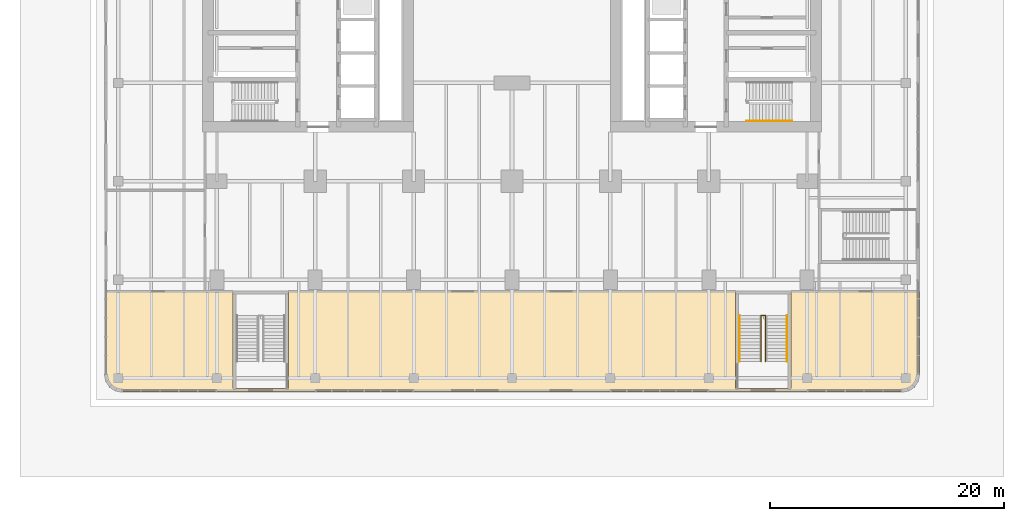
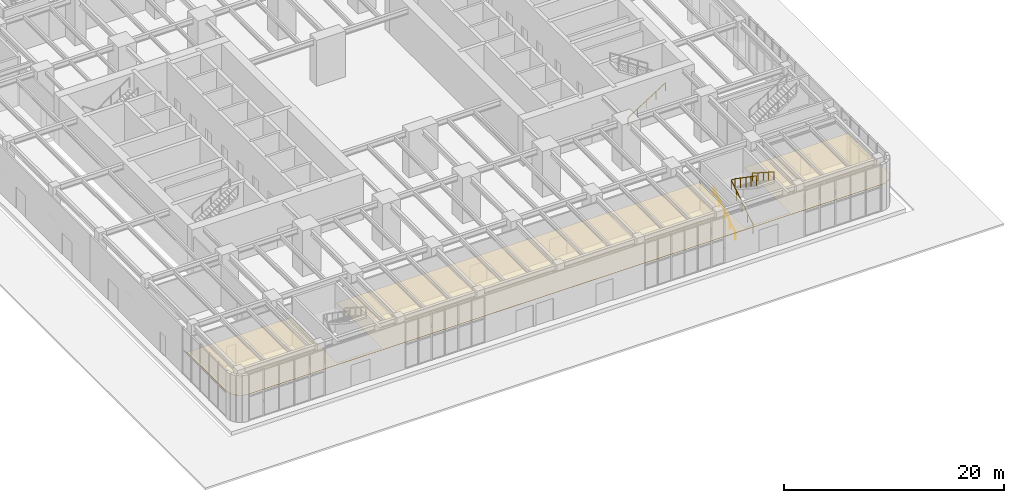
# One storey, part 25 of 31: 4 railings, 1 covering.
"""IFC4 building model written with IfcOpenShell, lengths in metres."""

from ifc_helpers import new_model, si_unit, direction, frame, origin, origin_2d, place, context, subcontext, project, spatial, polyline, circle, outline, extrude, material, layer, layer_set, type_object, element, save


model = new_model("IFC4")

# Units and contexts
model_context = context("Model", 3, precision=1e-05, world=origin(), true_north=direction((0.0, 1.0)))
body_context = subcontext(model_context, "Body", "Model", "MODEL_VIEW")
ifc_project = project(units=[si_unit("LENGTHUNIT", "METRE"), si_unit("AREAUNIT", "SQUARE_METRE"), si_unit("VOLUMEUNIT", "CUBIC_METRE"), si_unit("PLANEANGLEUNIT", "RADIAN"), si_unit("MASSUNIT", "GRAM", prefix="KILO")], contexts=[model_context])

# Site, building, storey
site_placement = place(None, origin())
site = spatial("IfcSite", under=ifc_project, at=site_placement, CompositionType="ELEMENT")
building_placement = place(site_placement, origin())
building = spatial("IfcBuilding", under=site, at=building_placement, Name="Claustro Exchange Tower", CompositionType="ELEMENT")
storey_placement = place(building_placement, origin())
storey = spatial("IfcBuildingStorey", under=building, at=storey_placement, Name="L00", CompositionType="ELEMENT", Elevation=0.0)

# Covering
ifc_material_1 = material(Name="Gypsum board ceiling", Category="gypsum board")
ifc_layer = layer(ifc_material_1, 0.02490234375)
ifc_layer_set = layer_set([ifc_layer], Name="Gypsum board ceiling")
covering_type = type_object("IfcCoveringType", Name="CL2 plasterboard ceiling", PredefinedType="CEILING", material=ifc_layer_set)
covering_placement = place(storey_placement, frame((0.0, 0.0, 3.0)))
element("IfcCovering", 1, at=covering_placement, inside=storey, type_object=covering_type, Name="Ceiling CL2 L00-01", PredefinedType="CEILING", context=body_context, shape_type="SweptSolid", body=[
    extrude(outline(polyline([(-9.16064453125, -9.16064453125), (-8.674072265625, -9.48583984375), (-8.10009765625, -9.60009765625), (58.5, -9.60009765625), (59.073974609375, -9.48583984375), (59.560791015625, -9.16064453125), (59.8857421875, -8.674072265625), (60.0, -8.10009765625), (60.0, -1.0), (49.0, -1.0), (49.0, -9.280029296875), (44.300048828125, -9.280029296875), (44.300048828125, -1.0), (6.10009765625, -1.0), (6.10009765625, -9.280029296875), (1.39990234375, -9.280029296875), (1.39990234375, -1.0), (-1.0, -1.0), (-9.60009765625, -1.0), (-9.60009765625, -8.10009765625), (-9.48583984375, -8.674072265625), (-9.16064453125, -9.16064453125)])), origin(), (0.0, 0.0, 1.0), 0.02490234375),
])

# Railings
ifc_material_2 = material(Name="Steel balustrade, painted", Category="steel")
railing_type_1 = type_object("IfcRailingType", Name="GR2 1100 steel stair guard", PredefinedType="GUARDRAIL", material=ifc_material_2)
railing_1_placement = place(storey_placement, frame((46.449951171875, -6.97998046875, 0.179931640625)))
element("IfcRailing", 2, at=railing_1_placement, inside=storey, type_object=railing_type_1, Name="Stair well guard GR2 stair STP2 L00", PredefinedType="GUARDRAIL", context=body_context, shape_type="SweptSolid", body=[
    extrude(circle(Radius=0.02392578125, at=origin_2d()), frame((0.0, 0.0, 1.076171875), z_axis=(0.0, 0.841171666519, 0.540768182723), x_axis=(-1.0, 0.0, 0.0)), (0.0, 0.0, 1.0), 4.66015625),
    extrude(circle(Radius=0.02392578125, at=origin_2d()), frame((0.0, 3.919921875, 3.59619140625), z_axis=(1.0, 0.0, 0.0), x_axis=(0.0, 1.0, 0.0)), (0.0, 0.0, 1.0), 0.400146484375),
    extrude(circle(Radius=0.02392578125, at=origin_2d()), frame((0.400146484375, 3.919921875, 3.59619140625), z_axis=(0.0, -0.823550731654, 0.567242622158), x_axis=(1.0, 0.0, 0.0)), (0.0, 0.0, 1.0), 4.759765625),
    extrude(circle(Radius=0.02099609375, at=origin_2d()), origin(), (0.0, 0.0, 1.0), 1.052001953125),
    extrude(circle(Radius=0.02099609375, at=origin_2d()), frame((0.0, 0.97998046875, 0.6298828125)), (0.0, 0.0, 1.0), 1.052001953125),
    extrude(circle(Radius=0.02099609375, at=origin_2d()), frame((0.0, 1.9599609375, 1.260009765625)), (0.0, 0.0, 1.0), 1.052001953125),
    extrude(circle(Radius=0.02099609375, at=origin_2d()), frame((0.0, 2.93994140625, 1.89013671875)), (0.0, 0.0, 1.0), 1.052001953125),
    extrude(circle(Radius=0.02099609375, at=origin_2d()), frame((0.0, 3.919921875, 2.52001953125)), (0.0, 0.0, 1.0), 1.052001953125),
    extrude(circle(Radius=0.02099609375, at=origin_2d()), frame((0.400146484375, 3.919921875, 2.52001953125)), (0.0, 0.0, 1.0), 1.052001953125),
    extrude(circle(Radius=0.02099609375, at=origin_2d()), frame((0.400146484375, 2.93994140625, 3.195068359375)), (0.0, 0.0, 1.0), 1.052001953125),
    extrude(circle(Radius=0.02099609375, at=origin_2d()), frame((0.400146484375, 1.9599609375, 3.8701171875)), (0.0, 0.0, 1.0), 1.052001953125),
    extrude(circle(Radius=0.02099609375, at=origin_2d()), frame((0.400146484375, 0.97998046875, 4.544921875)), (0.0, 0.0, 1.0), 1.052001953125),
    extrude(circle(Radius=0.02099609375, at=origin_2d()), frame((0.400146484375, 0.0, 5.219970703125)), (0.0, 0.0, 1.0), 1.052001953125),
])
ifc_material_3 = material(Name="Stainless steel tube", Category="steel")
railing_type_2 = type_object("IfcRailingType", Name="HR1 900 stair handrail", PredefinedType="HANDRAIL", material=ifc_material_3)
railing_2_placement = place(storey_placement, frame((45.199951171875, 13.56005859375, 0.179931640625)))
element("IfcRailing", 3, at=railing_2_placement, inside=storey, type_object=railing_type_2, Name="Handrail HR1 stair STEA L00", PredefinedType="HANDRAIL", context=body_context, shape_type="SweptSolid", body=[
    extrude(circle(Radius=0.02392578125, at=origin_2d()), frame((0.0, 0.0, 0.8759765625), z_axis=(0.841186985886, 0.0, 0.540744352514), x_axis=(0.0, 1.0, 0.0)), (0.0, 0.0, 1.0), 4.660400390625),
    extrude(circle(Radius=0.02099609375, at=origin_2d()), origin(), (0.0, 0.0, 1.0), 0.851806640625),
    extrude(circle(Radius=0.02099609375, at=origin_2d()), frame((0.97998046875, 0.0, 0.6298828125)), (0.0, 0.0, 1.0), 0.851806640625),
    extrude(circle(Radius=0.02099609375, at=origin_2d()), frame((1.9599609375, 0.0, 1.260009765625)), (0.0, 0.0, 1.0), 0.851806640625),
    extrude(circle(Radius=0.02099609375, at=origin_2d()), frame((2.940185546875, 0.0, 1.89013671875)), (0.0, 0.0, 1.0), 0.851806640625),
    extrude(circle(Radius=0.02099609375, at=origin_2d()), frame((3.920166015625, 0.0, 2.52001953125)), (0.0, 0.0, 1.0), 0.851806640625),
])
railing_3_placement = place(storey_placement, frame((44.610107421875, -6.97998046875, 0.179931640625)))
element("IfcRailing", 4, at=railing_3_placement, inside=storey, type_object=railing_type_2, Name="Handrail HR1 stair STP2 L00", PredefinedType="HANDRAIL", context=body_context, shape_type="SweptSolid", body=[
    extrude(circle(Radius=0.02392578125, at=origin_2d()), frame((0.0, 0.0, 0.8759765625), z_axis=(0.0, 0.841171666519, 0.540768182723), x_axis=(-1.0, 0.0, 0.0)), (0.0, 0.0, 1.0), 4.66015625),
    extrude(circle(Radius=0.02099609375, at=origin_2d()), origin(), (0.0, 0.0, 1.0), 0.851806640625),
    extrude(circle(Radius=0.02099609375, at=origin_2d()), frame((0.0, 0.97998046875, 0.6298828125)), (0.0, 0.0, 1.0), 0.851806640625),
    extrude(circle(Radius=0.02099609375, at=origin_2d()), frame((0.0, 1.9599609375, 1.260009765625)), (0.0, 0.0, 1.0), 0.851806640625),
    extrude(circle(Radius=0.02099609375, at=origin_2d()), frame((0.0, 2.93994140625, 1.89013671875)), (0.0, 0.0, 1.0), 0.851806640625),
    extrude(circle(Radius=0.02099609375, at=origin_2d()), frame((0.0, 3.919921875, 2.52001953125)), (0.0, 0.0, 1.0), 0.851806640625),
])
railing_4_placement = place(storey_placement, frame((48.68994140625, -3.06005859375, 2.8798828125)))
element("IfcRailing", 5, at=railing_4_placement, inside=storey, type_object=railing_type_2, Name="Handrail HR1 stair STP2 L00", PredefinedType="HANDRAIL", context=body_context, shape_type="SweptSolid", body=[
    extrude(circle(Radius=0.02392578125, at=origin_2d()), frame((0.0, 0.0, 0.8759765625), z_axis=(0.0, -0.841171666519, 0.540768182723), x_axis=(1.0, 0.0, 0.0)), (0.0, 0.0, 1.0), 4.66015625),
    extrude(circle(Radius=0.02099609375, at=origin_2d()), origin(), (0.0, 0.0, 1.0), 0.851806640625),
    extrude(circle(Radius=0.02099609375, at=origin_2d()), frame((0.0, -0.97998046875, 0.6298828125)), (0.0, 0.0, 1.0), 0.851806640625),
    extrude(circle(Radius=0.02099609375, at=origin_2d()), frame((0.0, -1.9599609375, 1.260009765625)), (0.0, 0.0, 1.0), 0.851806640625),
    extrude(circle(Radius=0.02099609375, at=origin_2d()), frame((0.0, -2.93994140625, 1.89013671875)), (0.0, 0.0, 1.0), 0.851806640625),
    extrude(circle(Radius=0.02099609375, at=origin_2d()), frame((0.0, -3.919921875, 2.52001953125)), (0.0, 0.0, 1.0), 0.851806640625),
])

save(model, "model.ifc")
